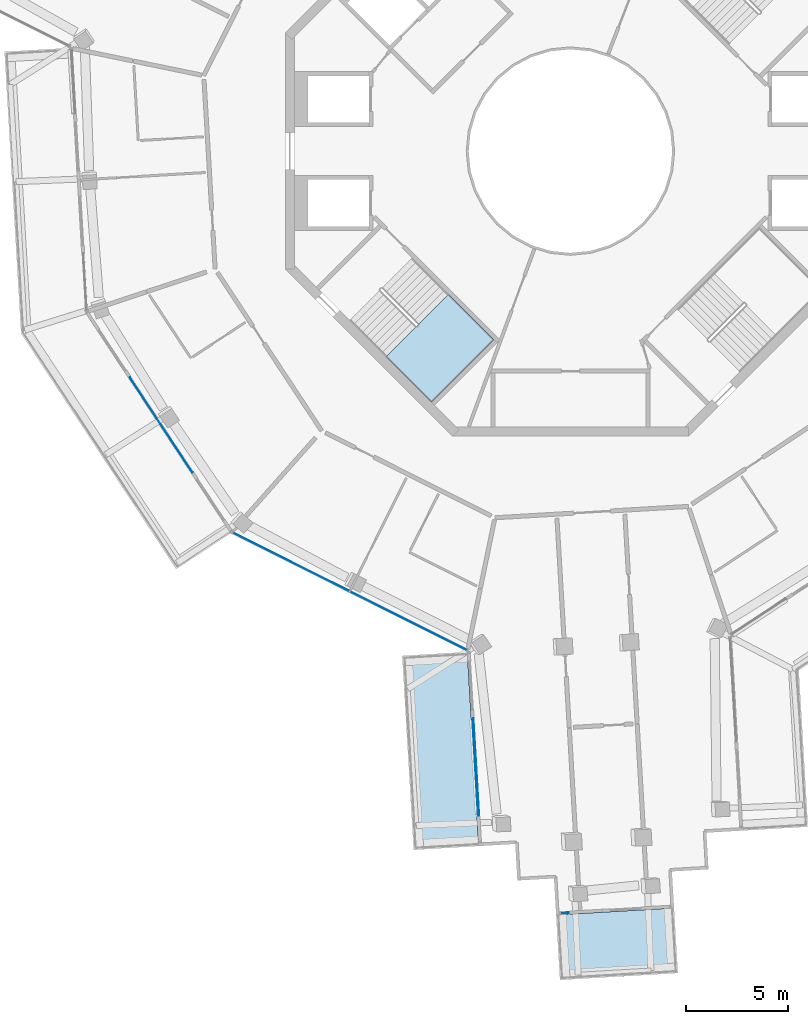
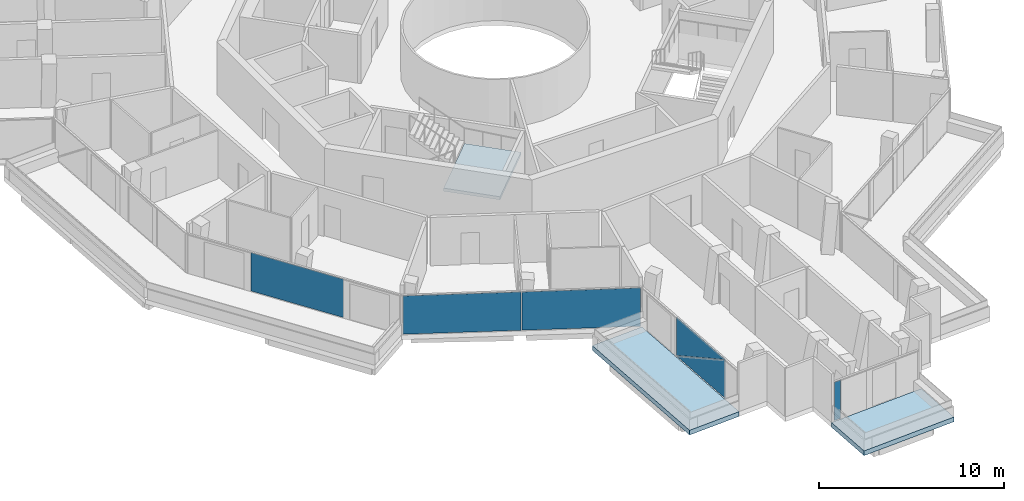
# One storey, part 12 of 26: 6 plates, 3 slabs, 5 elements without a shape of their own.
"""IFC4 building model written with IfcOpenShell, lengths in metres."""

from ifc_helpers import new_model, si_unit, direction, frame, origin, origin_2d, place, context, subcontext, project, spatial, polyline, rectangle, outline, extrude, material, layer, layer_set, type_object, element, aggregate, save


model = new_model("IFC4")

# Units and contexts
model_context = context("Model", 3, precision=1e-05, world=origin(), true_north=direction((0.0, 1.0)))
body_context = subcontext(model_context, "Body", "Model", "MODEL_VIEW")
ifc_project = project(units=[si_unit("LENGTHUNIT", "METRE"), si_unit("AREAUNIT", "SQUARE_METRE"), si_unit("VOLUMEUNIT", "CUBIC_METRE"), si_unit("PLANEANGLEUNIT", "RADIAN"), si_unit("MASSUNIT", "GRAM", prefix="KILO")], contexts=[model_context])

# Site, building, storey
site_placement = place(None, origin())
site = spatial("IfcSite", under=ifc_project, at=site_placement, CompositionType="ELEMENT")
building_placement = place(site_placement, origin())
building = spatial("IfcBuilding", under=site, at=building_placement, Name="Verdalira Terraces Hotel", CompositionType="ELEMENT")
storey_placement = place(building_placement, frame((0.0, 0.0, 291.5)))
storey = spatial("IfcBuildingStorey", under=building, at=storey_placement, Name="L72", CompositionType="ELEMENT", Elevation=291.5)

# Slabs
ifc_material_1 = material(Name="Precast concrete C40/50", Category="concrete")
ifc_layer_1 = layer(ifc_material_1, 0.31005859375)
ifc_layer_set_1 = layer_set([ifc_layer_1], Name="Balcony deck 310")
slab_type_1 = type_object("IfcSlabType", Name="Balcony deck 310", PredefinedType="FLOOR", material=ifc_layer_set_1)
slab_1_placement = place(storey_placement, frame((0.0, 0.0, -0.310059)))
element("IfcSlab", 1, at=slab_1_placement, inside=storey, type_object=slab_type_1, Name="Balcony deck", PredefinedType="FLOOR", context=body_context, shape_type="SweptSolid", body=[
    extrude(outline(polyline([(-7.701904, -34.316162), (-4.507568, -34.128662), (-5.067139, -24.597656), (-8.261475, -24.785156), (-7.701904, -34.316162)])), origin(), (0.0, 0.0, 1.0), 0.310059),
])
slab_2_placement = place(storey_placement, frame((0.0, 0.0, -0.310059)))
element("IfcSlab", 2, at=slab_2_placement, inside=storey, type_object=slab_type_1, Name="Balcony deck", PredefinedType="FLOOR", context=body_context, shape_type="SweptSolid", body=[
    extrude(outline(polyline([(5.274902, -40.365967), (5.087402, -37.171631), (-0.702637, -37.511475), (-0.515137, -40.706055), (5.274902, -40.365967)])), origin(), (0.0, 0.0, 1.0), 0.310059),
])

# Curtain wall, plate
ifc_material_2 = material(Name="Clear glass", Category="glass")
ifc_layer_2 = layer(ifc_material_2, 0.14990234375)
ifc_layer_set_2 = layer_set([ifc_layer_2], Name="CW1 curtain wall")
curtain_wall_type_1 = type_object("IfcCurtainWallType", Name="CW1 curtain wall", PredefinedType="NOTDEFINED", material=ifc_layer_set_2)
curtain_wall_1_placement = place(storey_placement, origin())
curtain_wall_1 = element("IfcCurtainWall", 3, at=curtain_wall_1_placement, inside=storey, type_object=curtain_wall_type_1, Name="CW1 curtain wall L72 edge 12", PredefinedType="NOTDEFINED")
ifc_material_3 = material(Name="Clear glass", Category="glass")
ifc_layer_3 = layer(ifc_material_3, 0.028076171875)
ifc_layer_set_3 = layer_set([ifc_layer_3], Name="CW1 glass unit 28")
plate_type_1 = type_object("IfcPlateType", Name="CW1 glass unit 28", PredefinedType="CURTAIN_PANEL", material=ifc_layer_set_3)
plate_1_placement = place(storey_placement, frame((-20.099609, -13.44873, 0.0), z_axis=(0.0, 0.0, 1.0), x_axis=(0.549897772, -0.835231968, 0.0)))
plate_1 = element("IfcPlate", 4, at=plate_1_placement, type_object=plate_type_1, Name="CW1 glass unit", PredefinedType="CURTAIN_PANEL", context=body_context, shape_type="SweptSolid", body=[
    extrude(rectangle(XDim=5.586182, YDim=0.028076, at=origin_2d()), origin(), (0.0, 0.0, 1.0), 2.524902),
])
aggregate(curtain_wall_1, [plate_1])

# Curtain wall, plates
curtain_wall_2_placement = place(storey_placement, origin())
curtain_wall_2 = element("IfcCurtainWall", 5, at=curtain_wall_2_placement, inside=storey, type_object=curtain_wall_type_1, Name="CW1 curtain wall L72 edge 13", PredefinedType="NOTDEFINED")
plate_2_placement = place(storey_placement, frame((-13.717041, -20.174561, 0.0), z_axis=(0.0, 0.0, 1.0), x_axis=(0.893841424, -0.448383216, 0.0)))
plate_2 = element("IfcPlate", 6, at=plate_2_placement, type_object=plate_type_1, Name="CW1 glass unit", PredefinedType="CURTAIN_PANEL", context=body_context, shape_type="SweptSolid", body=[
    extrude(rectangle(XDim=6.369873, YDim=0.028076, at=origin_2d()), origin(), (0.0, 0.0, 1.0), 2.524902),
])
plate_3_placement = place(storey_placement, frame((-7.951904, -23.06665, 0.0), z_axis=(0.0, 0.0, 1.0), x_axis=(0.893841424, -0.448383216, 0.0)))
plate_3 = element("IfcPlate", 7, at=plate_3_placement, type_object=plate_type_1, Name="CW1 glass unit", PredefinedType="CURTAIN_PANEL", context=body_context, shape_type="SweptSolid", body=[
    extrude(rectangle(XDim=6.409912, YDim=0.028076, at=origin_2d()), origin(), (0.0, 0.0, 1.0), 2.524902),
])
aggregate(curtain_wall_2, [plate_2, plate_3])

ifc_material_4 = material(Name="Clear glass", Category="glass")
ifc_layer_4 = layer(ifc_material_4, 0.14990234375)
ifc_layer_set_4 = layer_set([ifc_layer_4], Name="CW2 curtain wall")
curtain_wall_type_2 = type_object("IfcCurtainWallType", Name="CW2 curtain wall", PredefinedType="NOTDEFINED", material=ifc_layer_set_4)
curtain_wall_3_placement = place(storey_placement, origin())
curtain_wall_3 = element("IfcCurtainWall", 8, at=curtain_wall_3_placement, inside=storey, type_object=curtain_wall_type_2, Name="CW2 curtain wall L72 edge 14", PredefinedType="NOTDEFINED")
ifc_material_5 = material(Name="Clear glass", Category="glass")
ifc_layer_5 = layer(ifc_material_5, 0.031982421875)
ifc_layer_set_5 = layer_set([ifc_layer_5], Name="CW2 glass unit 32")
plate_type_2 = type_object("IfcPlateType", Name="CW2 glass unit 32", PredefinedType="CURTAIN_PANEL", material=ifc_layer_set_5)
plate_4_placement = place(storey_placement, frame((-4.644287, -30.246338, 1.262451), z_axis=(-0.998280988, -0.058609456, 0.0), x_axis=(0.058609456, -0.998280988, 0.0)))
plate_4 = element("IfcPlate", 9, at=plate_4_placement, type_object=plate_type_2, Name="CW2 glass unit", PredefinedType="CURTAIN_PANEL", context=body_context, shape_type="SweptSolid", body=[
    extrude(outline(polyline([(-2.393799, -1.262451), (2.393799, -1.262451), (2.393799, 1.262451), (-2.393799, -1.262451)])), origin(), (0.0, 0.0, 1.0), 0.031982),
])
plate_5_placement = place(storey_placement, frame((-4.611328, -30.244385, 1.262451), z_axis=(-0.998280988, -0.058609456, 0.0), x_axis=(0.058609456, -0.998280988, 0.0)))
plate_5 = element("IfcPlate", 10, at=plate_5_placement, type_object=plate_type_2, Name="CW2 glass unit", PredefinedType="CURTAIN_PANEL", context=body_context, shape_type="SweptSolid", body=[
    extrude(outline(polyline([(-2.393799, -1.262451), (2.393799, 1.262451), (-2.393799, 1.262451), (-2.393799, -1.262451)])), origin(), (0.0, 0.0, 1.0), 0.031982),
])
aggregate(curtain_wall_3, [plate_4, plate_5])

# Curtain wall, plate
ifc_material_6 = material(Name="Clear glass", Category="glass")
ifc_layer_6 = layer(ifc_material_6, 0.14990234375)
ifc_layer_set_6 = layer_set([ifc_layer_6], Name="CW3 curtain wall")
curtain_wall_type_3 = type_object("IfcCurtainWallType", Name="CW3 curtain wall", PredefinedType="NOTDEFINED", material=ifc_layer_set_6)
curtain_wall_4_placement = place(storey_placement, origin())
curtain_wall_4 = element("IfcCurtainWall", 11, at=curtain_wall_4_placement, inside=storey, type_object=curtain_wall_type_3, Name="CW3 curtain wall L72 edge 19", PredefinedType="NOTDEFINED")
ifc_material_7 = material(Name="Clear glass", Category="glass")
ifc_layer_7 = layer(ifc_material_7, 0.035888671875)
ifc_layer_set_7 = layer_set([ifc_layer_7], Name="CW3 glass unit 36")
plate_type_3 = type_object("IfcPlateType", Name="CW3 glass unit 36", PredefinedType="CURTAIN_PANEL", material=ifc_layer_set_7)
plate_6_placement = place(storey_placement, frame((-0.277832, -37.411377, 0.0), z_axis=(0.0, 0.0, 1.0), x_axis=(0.998280988, 0.058609456, 0.0)))
plate_6 = element("IfcPlate", 12, at=plate_6_placement, type_object=plate_type_3, Name="CW3 glass unit", PredefinedType="CURTAIN_PANEL", context=body_context, shape_type="SweptSolid", body=[
    extrude(rectangle(XDim=0.399902, YDim=0.035889, at=origin_2d()), origin(), (0.0, 0.0, 1.0), 2.524902),
])
aggregate(curtain_wall_4, [plate_6])

# Stair, slab
ifc_material_8 = material(Name="Concrete C40", Category="concrete")
stair_type = type_object("IfcStairType", Name="Core stair 20 risers 2125 mm wide", PredefinedType="HALF_TURN_STAIR", material=ifc_material_8)
stair_placement = place(storey_placement, origin())
stair = element("IfcStair", 13, at=stair_placement, inside=storey, type_object=stair_type, Name="L72 Exit stair ST2", PredefinedType="HALF_TURN_STAIR")
ifc_material_9 = material(Name="Concrete C40", Category="concrete")
ifc_layer_8 = layer(ifc_material_9, 0.199951171875)
ifc_layer_set_8 = layer_set([ifc_layer_8], Name="Core stair landing 200 mm")
slab_type_2 = type_object("IfcSlabType", Name="Core stair landing 200 mm", PredefinedType="LANDING", material=ifc_layer_set_8)
slab_3_placement = place(storey_placement, frame((0.0, 0.0, 1.550049)))
slab_3 = element("IfcSlab", 14, at=slab_3_placement, type_object=slab_type_2, Name="ST2 landing 1", PredefinedType="LANDING", context=body_context, shape_type="SweptSolid", body=[
    extrude(outline(polyline([(-9.054932, -10.107666), (-6.823486, -12.339111), (-3.747559, -9.263184), (-5.979004, -7.031738), (-9.054932, -10.107666)])), origin(), (0.0, 0.0, 1.0), 0.199951),
])
aggregate(stair, [slab_3])

save(model, "model.ifc")
